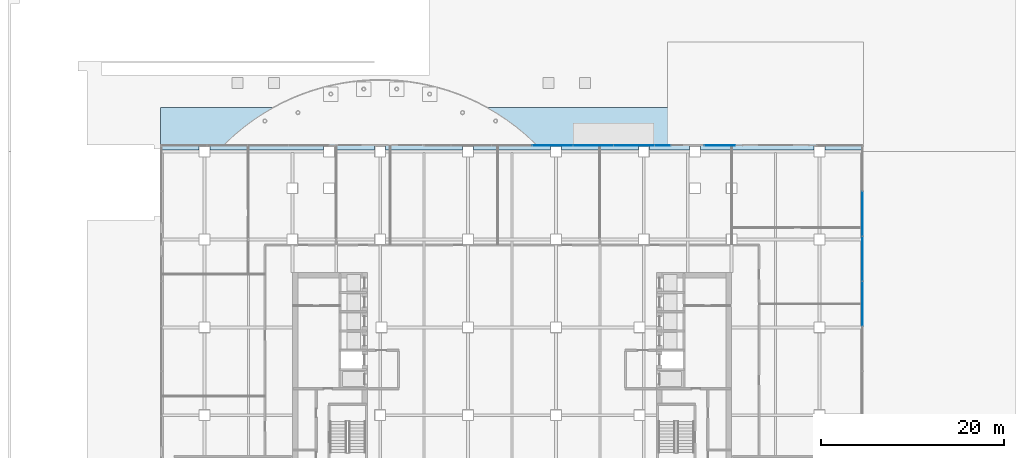
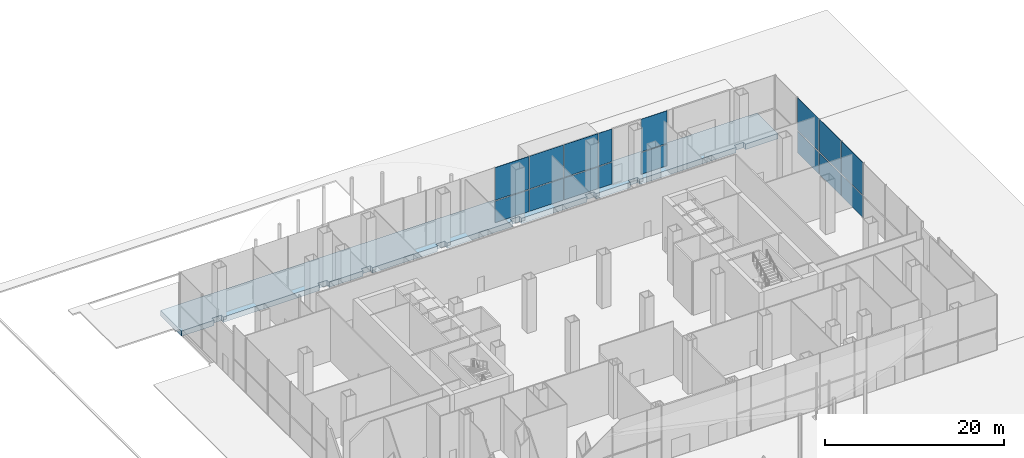
# One storey, part 24 of 36: 16 plates, 1 slab, 3 elements without a shape of their own.
"""IFC4 building model written with IfcOpenShell, lengths in metres."""

from ifc_helpers import new_model, si_unit, direction, frame, origin, origin_2d, place, context, subcontext, project, spatial, polyline, rectangle, outline, extrude, material, layer, layer_set, type_object, element, aggregate, save


model = new_model("IFC4")

# Units and contexts
model_context = context("Model", 3, precision=1e-05, world=origin(), true_north=direction((0.0, 1.0)))
body_context = subcontext(model_context, "Body", "Model", "MODEL_VIEW")
ifc_project = project(units=[si_unit("LENGTHUNIT", "METRE"), si_unit("AREAUNIT", "SQUARE_METRE"), si_unit("VOLUMEUNIT", "CUBIC_METRE"), si_unit("PLANEANGLEUNIT", "RADIAN"), si_unit("MASSUNIT", "GRAM", prefix="KILO")], contexts=[model_context])

# Site, building, storey
site_placement = place(None, origin())
site = spatial("IfcSite", under=ifc_project, at=site_placement, CompositionType="ELEMENT")
building_placement = place(site_placement, origin())
building = spatial("IfcBuilding", under=site, at=building_placement, Name="Cobrizo Arcos Hotel Tower", CompositionType="ELEMENT")
storey_placement = place(building_placement, origin())
storey = spatial("IfcBuildingStorey", under=building, at=storey_placement, Name="L00", CompositionType="ELEMENT", Elevation=0.0)

# Curtain wall, plates
ifc_material_1 = material(Name="Aluminium 6063-T6 anodised bronze", Category="aluminium")
curtain_wall_type_1 = type_object("IfcCurtainWallType", Name="CW-A guest facade", PredefinedType="NOTDEFINED", material=ifc_material_1)
curtain_wall_1_placement = place(storey_placement, origin())
curtain_wall_1 = element("IfcCurtainWall", 1, at=curtain_wall_1_placement, inside=storey, type_object=curtain_wall_type_1, Name="CW-A L00 N face", PredefinedType="NOTDEFINED")
ifc_material_2 = material(Name="Glass clear laminated low-e", Category="glass")
ifc_layer_1 = layer(ifc_material_2, 0.0400390625)
ifc_layer_set_1 = layer_set([ifc_layer_1], Name="CW-A glass panel")
plate_type_1 = type_object("IfcPlateType", Name="CW-A glass panel", PredefinedType="CURTAIN_PANEL", material=ifc_layer_set_1)
plate_1_placement = place(storey_placement, frame((22.7373046875, 24.675048828125, 0.0), z_axis=(0.0, 0.0, 1.0), x_axis=(-1.0, 0.0, 0.0)))
plate_1 = element("IfcPlate", 2, at=plate_1_placement, type_object=plate_type_1, Name="CW-A glass panel 14", PredefinedType="CURTAIN_PANEL", context=body_context, shape_type="SweptSolid", body=[
    extrude(rectangle(XDim=3.3544921875, YDim=0.0400390625, at=origin_2d()), origin(), (0.0, 0.0, 1.0), 2.93994140625),
])
plate_2_placement = place(storey_placement, frame((22.7373046875, 24.675048828125, 3.06005859375), z_axis=(0.0, 0.0, 1.0), x_axis=(-1.0, 0.0, 0.0)))
plate_2 = element("IfcPlate", 3, at=plate_2_placement, type_object=plate_type_1, Name="CW-A glass panel 14", PredefinedType="CURTAIN_PANEL", context=body_context, shape_type="SweptSolid", body=[
    extrude(rectangle(XDim=3.3544921875, YDim=0.0400390625, at=origin_2d()), origin(), (0.0, 0.0, 1.0), 4.43994140625),
])
aggregate(curtain_wall_1, [plate_1, plate_2])

curtain_wall_2_placement = place(storey_placement, origin())
curtain_wall_2 = element("IfcCurtainWall", 4, at=curtain_wall_2_placement, inside=storey, type_object=curtain_wall_type_1, Name="CW-A L00 N face", PredefinedType="NOTDEFINED")
plate_3_placement = place(storey_placement, frame((16.462890625, 24.675048828125, 0.0), z_axis=(0.0, 0.0, 1.0), x_axis=(-1.0, 0.0, 0.0)))
plate_3 = element("IfcPlate", 5, at=plate_3_placement, type_object=plate_type_1, Name="CW-A glass panel 15", PredefinedType="CURTAIN_PANEL", context=body_context, shape_type="SweptSolid", body=[
    extrude(rectangle(XDim=1.75439453125, YDim=0.0400390625, at=origin_2d()), origin(), (0.0, 0.0, 1.0), 2.93994140625),
])
plate_4_placement = place(storey_placement, frame((16.462890625, 24.675048828125, 3.06005859375), z_axis=(0.0, 0.0, 1.0), x_axis=(-1.0, 0.0, 0.0)))
plate_4 = element("IfcPlate", 6, at=plate_4_placement, type_object=plate_type_1, Name="CW-A glass panel 15", PredefinedType="CURTAIN_PANEL", context=body_context, shape_type="SweptSolid", body=[
    extrude(rectangle(XDim=1.75439453125, YDim=0.0400390625, at=origin_2d()), origin(), (0.0, 0.0, 1.0), 4.43994140625),
])
plate_5_placement = place(storey_placement, frame((13.333251953125, 24.675048828125, 0.0), z_axis=(0.0, 0.0, 1.0), x_axis=(-1.0, 0.0, 0.0)))
plate_5 = element("IfcPlate", 7, at=plate_5_placement, type_object=plate_type_1, Name="CW-A glass panel 16", PredefinedType="CURTAIN_PANEL", context=body_context, shape_type="SweptSolid", body=[
    extrude(rectangle(XDim=4.384521484375, YDim=0.0400390625, at=origin_2d()), origin(), (0.0, 0.0, 1.0), 2.93994140625),
])
plate_6_placement = place(storey_placement, frame((13.333251953125, 24.675048828125, 3.06005859375), z_axis=(0.0, 0.0, 1.0), x_axis=(-1.0, 0.0, 0.0)))
plate_6 = element("IfcPlate", 8, at=plate_6_placement, type_object=plate_type_1, Name="CW-A glass panel 16", PredefinedType="CURTAIN_PANEL", context=body_context, shape_type="SweptSolid", body=[
    extrude(rectangle(XDim=4.384521484375, YDim=0.0400390625, at=origin_2d()), origin(), (0.0, 0.0, 1.0), 4.43994140625),
])
plate_7_placement = place(storey_placement, frame((8.888916015625, 24.675048828125, 0.0), z_axis=(0.0, 0.0, 1.0), x_axis=(-1.0, 0.0, 0.0)))
plate_7 = element("IfcPlate", 9, at=plate_7_placement, type_object=plate_type_1, Name="CW-A glass panel 17", PredefinedType="CURTAIN_PANEL", context=body_context, shape_type="SweptSolid", body=[
    extrude(rectangle(XDim=4.384521484375, YDim=0.0400390625, at=origin_2d()), origin(), (0.0, 0.0, 1.0), 2.93994140625),
])
plate_8_placement = place(storey_placement, frame((8.888916015625, 24.675048828125, 3.06005859375), z_axis=(0.0, 0.0, 1.0), x_axis=(-1.0, 0.0, 0.0)))
plate_8 = element("IfcPlate", 10, at=plate_8_placement, type_object=plate_type_1, Name="CW-A glass panel 17", PredefinedType="CURTAIN_PANEL", context=body_context, shape_type="SweptSolid", body=[
    extrude(rectangle(XDim=4.384521484375, YDim=0.0400390625, at=origin_2d()), origin(), (0.0, 0.0, 1.0), 4.43994140625),
])
plate_9_placement = place(storey_placement, frame((4.4443359375, 24.675048828125, 0.0), z_axis=(0.0, 0.0, 1.0), x_axis=(-1.0, 0.0, 0.0)))
plate_9 = element("IfcPlate", 11, at=plate_9_placement, type_object=plate_type_1, Name="CW-A glass panel 18", PredefinedType="CURTAIN_PANEL", context=body_context, shape_type="SweptSolid", body=[
    extrude(rectangle(XDim=4.384521484375, YDim=0.0400390625, at=origin_2d()), origin(), (0.0, 0.0, 1.0), 2.93994140625),
])
plate_10_placement = place(storey_placement, frame((4.4443359375, 24.675048828125, 3.06005859375), z_axis=(0.0, 0.0, 1.0), x_axis=(-1.0, 0.0, 0.0)))
plate_10 = element("IfcPlate", 12, at=plate_10_placement, type_object=plate_type_1, Name="CW-A glass panel 18", PredefinedType="CURTAIN_PANEL", context=body_context, shape_type="SweptSolid", body=[
    extrude(rectangle(XDim=4.384521484375, YDim=0.0400390625, at=origin_2d()), origin(), (0.0, 0.0, 1.0), 4.43994140625),
])
aggregate(curtain_wall_2, [plate_3, plate_4, plate_5, plate_6, plate_7, plate_8, plate_9, plate_10])

curtain_wall_type_2 = type_object("IfcCurtainWallType", Name="CW-B podium glazing", PredefinedType="NOTDEFINED", material=ifc_material_1)
curtain_wall_3_placement = place(storey_placement, origin())
curtain_wall_3 = element("IfcCurtainWall", 13, at=curtain_wall_3_placement, inside=storey, type_object=curtain_wall_type_2, Name="CW-B L00 E face", PredefinedType="NOTDEFINED")
ifc_layer_2 = layer(ifc_material_2, 0.0400390625)
ifc_layer_set_2 = layer_set([ifc_layer_2], Name="CW-B glass panel")
plate_type_2 = type_object("IfcPlateType", Name="CW-B glass panel", PredefinedType="CURTAIN_PANEL", material=ifc_layer_set_2)
plate_11_placement = place(storey_placement, frame((38.300048828125, 7.3798828125, 0.0), z_axis=(0.0, 0.0, 1.0), x_axis=(0.0, 1.0, 0.0)))
plate_11 = element("IfcPlate", 14, at=plate_11_placement, type_object=plate_type_2, Name="CW-B glass panel 7", PredefinedType="CURTAIN_PANEL", context=body_context, shape_type="SweptSolid", body=[
    extrude(rectangle(XDim=4.840087890625, YDim=0.0400390625, at=origin_2d()), origin(), (0.0, 0.0, 1.0), 2.919921875),
])
plate_12_placement = place(storey_placement, frame((38.300048828125, 7.3798828125, 3.080078125), z_axis=(0.0, 0.0, 1.0), x_axis=(0.0, 1.0, 0.0)))
plate_12 = element("IfcPlate", 15, at=plate_12_placement, type_object=plate_type_2, Name="CW-B glass panel 7", PredefinedType="CURTAIN_PANEL", context=body_context, shape_type="SweptSolid", body=[
    extrude(rectangle(XDim=4.840087890625, YDim=0.0400390625, at=origin_2d()), origin(), (0.0, 0.0, 1.0), 4.419921875),
])
plate_13_placement = place(storey_placement, frame((38.300048828125, 12.300048828125, 0.0), z_axis=(0.0, 0.0, 1.0), x_axis=(0.0, 1.0, 0.0)))
plate_13 = element("IfcPlate", 16, at=plate_13_placement, type_object=plate_type_2, Name="CW-B glass panel 8", PredefinedType="CURTAIN_PANEL", context=body_context, shape_type="SweptSolid", body=[
    extrude(rectangle(XDim=4.840087890625, YDim=0.0400390625, at=origin_2d()), origin(), (0.0, 0.0, 1.0), 2.919921875),
])
plate_14_placement = place(storey_placement, frame((38.300048828125, 12.300048828125, 3.080078125), z_axis=(0.0, 0.0, 1.0), x_axis=(0.0, 1.0, 0.0)))
plate_14 = element("IfcPlate", 17, at=plate_14_placement, type_object=plate_type_2, Name="CW-B glass panel 8", PredefinedType="CURTAIN_PANEL", context=body_context, shape_type="SweptSolid", body=[
    extrude(rectangle(XDim=4.840087890625, YDim=0.0400390625, at=origin_2d()), origin(), (0.0, 0.0, 1.0), 4.419921875),
])
plate_15_placement = place(storey_placement, frame((38.300048828125, 17.219970703125, 0.0), z_axis=(0.0, 0.0, 1.0), x_axis=(0.0, 1.0, 0.0)))
plate_15 = element("IfcPlate", 18, at=plate_15_placement, type_object=plate_type_2, Name="CW-B glass panel 9", PredefinedType="CURTAIN_PANEL", context=body_context, shape_type="SweptSolid", body=[
    extrude(rectangle(XDim=4.840087890625, YDim=0.0400390625, at=origin_2d()), origin(), (0.0, 0.0, 1.0), 2.919921875),
])
plate_16_placement = place(storey_placement, frame((38.300048828125, 17.219970703125, 3.080078125), z_axis=(0.0, 0.0, 1.0), x_axis=(0.0, 1.0, 0.0)))
plate_16 = element("IfcPlate", 19, at=plate_16_placement, type_object=plate_type_2, Name="CW-B glass panel 9", PredefinedType="CURTAIN_PANEL", context=body_context, shape_type="SweptSolid", body=[
    extrude(rectangle(XDim=4.840087890625, YDim=0.0400390625, at=origin_2d()), origin(), (0.0, 0.0, 1.0), 4.419921875),
])
aggregate(curtain_wall_3, [plate_11, plate_12, plate_13, plate_14, plate_15, plate_16])

# Slab
ifc_material_3 = material(Name="Reinforced concrete C40/50", Category="concrete")
ifc_layer_3 = layer(ifc_material_3, 0.721923828125)
ifc_layer_set_3 = layer_set([ifc_layer_3], Name="Promenade deck slab 722")
slab_type = type_object("IfcSlabType", Name="Promenade deck slab 722", PredefinedType="FLOOR", material=ifc_layer_set_3)
slab_placement = place(storey_placement, frame((0.0, 0.0, -0.92236328125)))
element("IfcSlab", 20, at=slab_placement, inside=storey, type_object=slab_type, Name="Promenade deck 2", PredefinedType="FLOOR", context=body_context, shape_type="SweptSolid", body=[
    extrude(outline(polyline([(38.39990234375, 28.800048828125), (38.39990234375, 24.159912109375), (34.199951171875, 24.159912109375), (34.199951171875, 24.60009765625), (33.0, 24.60009765625), (33.0, 24.159912109375), (20.60009765625, 24.159912109375), (20.60009765625, 24.60009765625), (19.39990234375, 24.60009765625), (19.39990234375, 24.159912109375), (15.0, 24.159912109375), (15.0, 24.60009765625), (13.800048828125, 24.60009765625), (13.800048828125, 24.159912109375), (5.39990234375, 24.159912109375), (5.39990234375, 24.60009765625), (4.199951171875, 24.60009765625), (4.199951171875, 24.159912109375), (-4.199951171875, 24.159912109375), (-4.199951171875, 24.60009765625), (-5.39990234375, 24.60009765625), (-5.39990234375, 24.159912109375), (-13.800048828125, 24.159912109375), (-13.800048828125, 24.60009765625), (-15.0, 24.60009765625), (-15.0, 24.159912109375), (-19.39990234375, 24.159912109375), (-19.39990234375, 24.60009765625), (-20.60009765625, 24.60009765625), (-20.60009765625, 24.159912109375), (-33.0, 24.159912109375), (-33.0, 24.60009765625), (-34.199951171875, 24.60009765625), (-34.199951171875, 24.159912109375), (-38.39990234375, 24.159912109375), (-38.39990234375, 28.800048828125), (38.39990234375, 28.800048828125)])), origin(), (0.0, 0.0, 1.0), 0.722412109375),
])

save(model, "model.ifc")
